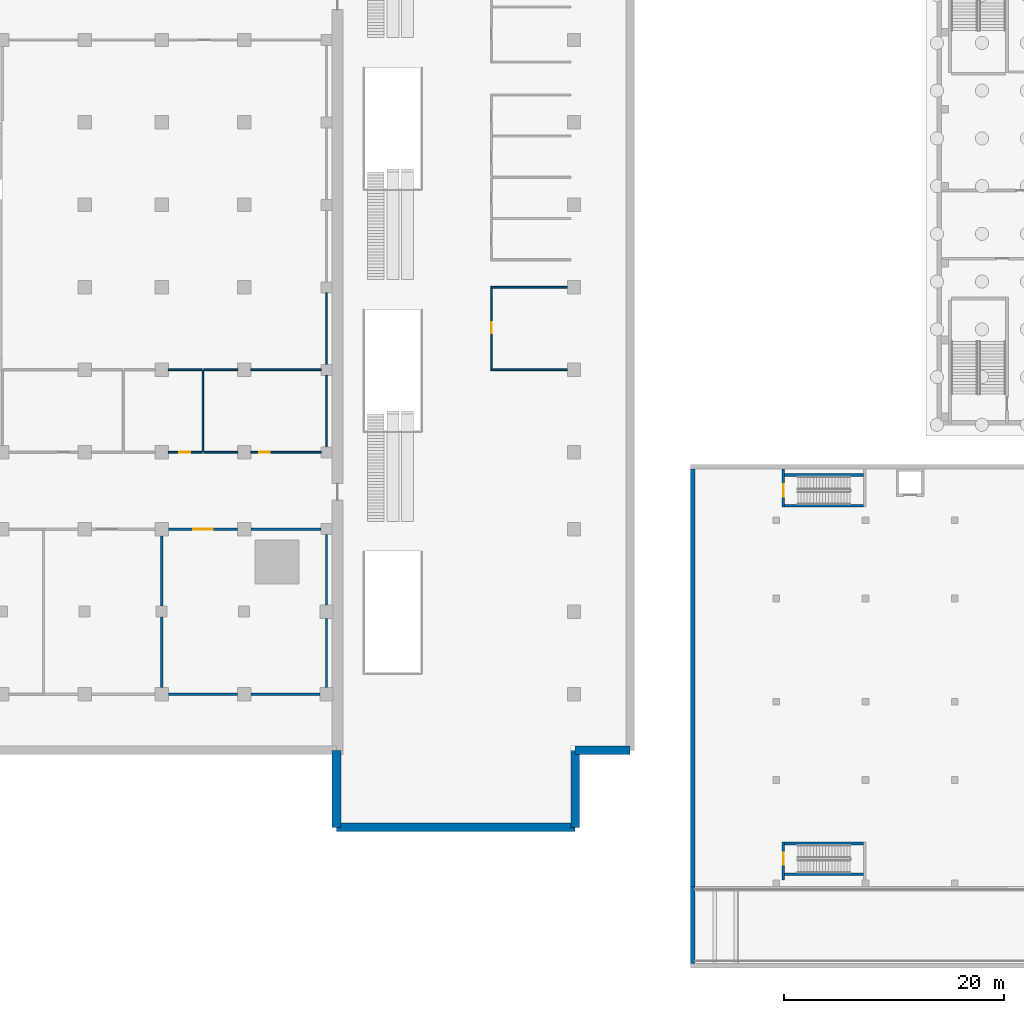
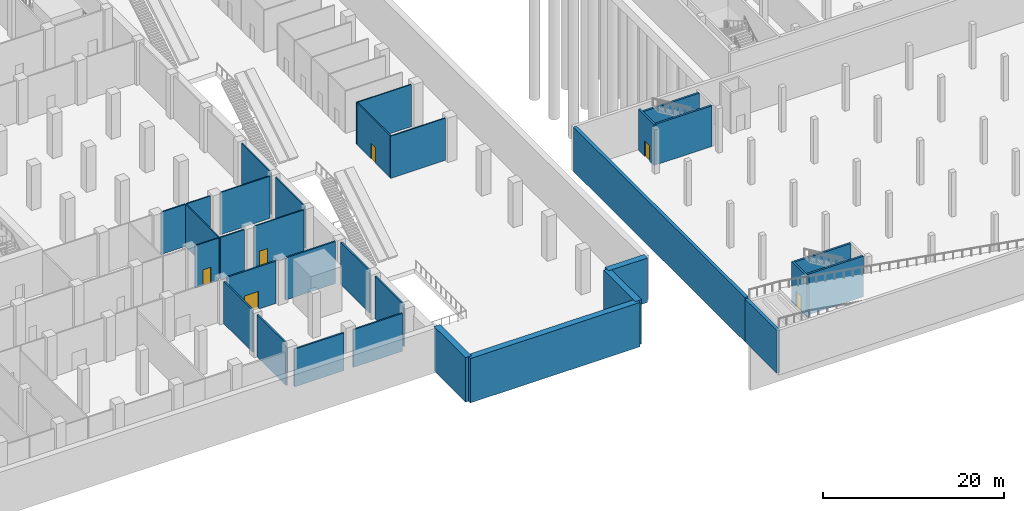
# One storey, part 7 of 45: 32 walls, 6 doors, 6 openings.
"""IFC4 building model written with IfcOpenShell, lengths in metres."""

from ifc_helpers import new_model, si_unit, direction, frame, frame_2d, origin, place, context, subcontext, project, spatial, rectangle, extrude, material, layer, layer_set, type_object, element, fill, save


model = new_model("IFC4")

# Units and contexts
model_context = context("Model", 3, precision=1e-05, world=origin(), true_north=direction((0.0, 1.0)))
body_context = subcontext(model_context, "Body", "Model", "MODEL_VIEW")
ifc_project = project(units=[si_unit("LENGTHUNIT", "METRE"), si_unit("AREAUNIT", "SQUARE_METRE"), si_unit("VOLUMEUNIT", "CUBIC_METRE"), si_unit("PLANEANGLEUNIT", "RADIAN"), si_unit("MASSUNIT", "GRAM", prefix="KILO")], contexts=[model_context])

# Site, building, storey
site_placement = place(None, origin())
site = spatial("IfcSite", under=ifc_project, at=site_placement, CompositionType="ELEMENT")
building_placement = place(site_placement, origin())
building = spatial("IfcBuilding", under=site, at=building_placement, Name="Tamorin Gate", CompositionType="ELEMENT")
storey_placement = place(building_placement, frame((0.0, 0.0, -6.0)))
storey = spatial("IfcBuildingStorey", under=building, at=storey_placement, Name="B1", CompositionType="ELEMENT", Elevation=-6.0)

# Walls
ifc_material_1 = material(Name="Concrete C40/50", Category="concrete")
ifc_layer_1 = layer(ifc_material_1, 0.39990234375)
ifc_layer_set_1 = layer_set([ifc_layer_1], Name="Car park retaining wall 400 C40/50")
wall_type_1 = type_object("IfcWallType", Name="Car park retaining wall 400 C40/50", PredefinedType="SHEAR", material=ifc_layer_set_1)
wall_1_placement = place(storey_placement, frame((122.800048828125, 13.0, 0.0), z_axis=(0.0, 0.0, 1.0), x_axis=(0.0, 1.0, 0.0)))
element("IfcWall", 1, at=wall_1_placement, inside=storey, type_object=wall_type_1, Name="Retaining wall B1", PredefinedType="SHEAR", context=body_context, shape_type="SweptSolid", body=[
    extrude(rectangle(XDim=38.0, YDim=0.39990234375, at=frame_2d((19.0, 0.0))), origin(), (0.0, 0.0, 1.0), 6.0),
])
wall_2_placement = place(storey_placement, frame((122.800048828125, 6.0, 0.0), z_axis=(0.0, 0.0, 1.0), x_axis=(0.0, 1.0, 0.0)))
element("IfcWall", 2, at=wall_2_placement, inside=storey, type_object=wall_type_1, Name="Retaining wall B1", PredefinedType="SHEAR", context=body_context, shape_type="SweptSolid", body=[
    extrude(rectangle(XDim=7.0, YDim=0.39990234375, at=frame_2d((3.5, 0.0))), origin(), (0.0, 0.0, 1.0), 5.800048828125),
])

# Wall, opening, door
ifc_material_2 = material(Name="Concrete masonry C20/25", Category="masonry")
ifc_layer_2 = layer(ifc_material_2, 0.14990234375)
ifc_layer_set_2 = layer_set([ifc_layer_2], Name="Partition 150")
wall_type_2 = type_object("IfcWallType", Name="Partition 150", PredefinedType="PARTITIONING", material=ifc_layer_set_2)
wall_3_placement = place(storey_placement, frame((78.175048828125, 52.5, 0.0), z_axis=(0.0, 0.0, 1.0), x_axis=(-1.0, 0.0, 0.0)))
wall_3 = element("IfcWall", 3, at=wall_3_placement, inside=storey, type_object=wall_type_2, Name="Partition 150 B1", PredefinedType="PARTITIONING", context=body_context, shape_type="SweptSolid", body=[
    extrude(rectangle(XDim=3.074951171875, YDim=0.14990234375, at=frame_2d((1.53759765625, 0.0))), origin(), (0.0, 0.0, 1.0), 5.699951171875),
])
opening_1_placement = place(wall_3_placement, frame((1.074951171875, 0.0, 0.0)))
opening_1 = element("IfcOpeningElement", 4, at=opening_1_placement, cuts=wall_3, Name="Opening DP2", PredefinedType="OPENING", context=body_context, shape_type="SweptSolid", body=[
    extrude(rectangle(XDim=1.0, YDim=2.10009765625, at=frame_2d((0.5, 1.050048828125))), frame((0.0, 0.0849609375, 0.0), z_axis=(0.0, -1.0, 0.0), x_axis=(1.0, 0.0, 0.0)), (0.0, 0.0, 1.0), 0.169921875),
])
ifc_material_3 = material(Name="Painted steel", Category="steel")
door_type_1 = type_object("IfcDoorType", Name="Door single 1000", OperationType="SINGLE_SWING_LEFT", PredefinedType="DOOR", material=ifc_material_3)
door_1_placement = place(opening_1_placement, origin())
door_1 = element("IfcDoor", 5, at=door_1_placement, inside=storey, type_object=door_type_1, Name="Door single 1000 B1", OperationType="SINGLE_SWING_LEFT", OverallHeight=2.10009765625, OverallWidth=1.0, PredefinedType="DOOR", context=body_context, shape_type="SweptSolid", body=[
    extrude(rectangle(XDim=1.0, YDim=2.10009765625, at=frame_2d((0.5, 1.050048828125))), frame((0.0, 0.02490234375, 0.0), z_axis=(0.0, -1.0, 0.0), x_axis=(1.0, 0.0, 0.0)), (0.0, 0.0, 1.0), 0.050048828125),
])
fill(opening_1, door_1)

# Wall
wall_4_placement = place(storey_placement, frame((78.324951171875, 52.5, 0.0), z_axis=(0.0, 0.0, 1.0), x_axis=(1.0, 0.0, 0.0)))
element("IfcWall", 6, at=wall_4_placement, inside=storey, type_object=wall_type_2, Name="Partition 150 B1", PredefinedType="PARTITIONING", context=body_context, shape_type="SweptSolid", body=[
    extrude(rectangle(XDim=3.074951171875, YDim=0.14990234375, at=frame_2d((1.53759765625, 0.0))), origin(), (0.0, 0.0, 1.0), 5.699951171875),
])

# Wall, opening, door
wall_5_placement = place(storey_placement, frame((89.0, 52.5, 0.0), z_axis=(0.0, 0.0, 1.0), x_axis=(-1.0, 0.0, 0.0)))
wall_5 = element("IfcWall", 7, at=wall_5_placement, inside=storey, type_object=wall_type_2, Name="Partition 150 B1", PredefinedType="PARTITIONING", context=body_context, shape_type="SweptSolid", body=[
    extrude(rectangle(XDim=6.39990234375, YDim=0.14990234375, at=frame_2d((3.199951171875, 0.0))), origin(), (0.0, 0.0, 1.0), 5.699951171875),
])
opening_2_placement = place(wall_5_placement, frame((4.64990234375, 0.0, 0.0)))
opening_2 = element("IfcOpeningElement", 8, at=opening_2_placement, cuts=wall_5, Name="Opening DP2", PredefinedType="OPENING", context=body_context, shape_type="SweptSolid", body=[
    extrude(rectangle(XDim=1.0, YDim=2.10009765625, at=frame_2d((0.5, 1.050048828125))), frame((0.0, 0.0849609375, 0.0), z_axis=(0.0, -1.0, 0.0), x_axis=(1.0, 0.0, 0.0)), (0.0, 0.0, 1.0), 0.169921875),
])
door_2_placement = place(opening_2_placement, origin())
door_2 = element("IfcDoor", 9, at=door_2_placement, inside=storey, type_object=door_type_1, Name="Door single 1000 B1", OperationType="SINGLE_SWING_LEFT", OverallHeight=2.10009765625, OverallWidth=1.0, PredefinedType="DOOR", context=body_context, shape_type="SweptSolid", body=[
    extrude(rectangle(XDim=1.0, YDim=2.10009765625, at=frame_2d((0.5, 1.050048828125))), frame((0.0, 0.02490234375, 0.0), z_axis=(0.0, -1.0, 0.0), x_axis=(1.0, 0.0, 0.0)), (0.0, 0.0, 1.0), 0.050048828125),
])
fill(opening_2, door_2)

# Walls
for number, where, z_axis, x_axis, name in (
    (10, (75.10009765625, 60.0, 0.0), (0.0, 0.0, 1.0), (1.0, 0.0, 0.0), "Partition 150 B1"),
    (11, (78.324951171875, 60.0, 0.0), (0.0, 0.0, 1.0), (1.0, 0.0, 0.0), "Partition 150 B1"),
):
    element("IfcWall", number, at=place(storey_placement, frame(where, z_axis=z_axis, x_axis=x_axis)), inside=storey, type_object=wall_type_2, Name=name, PredefinedType="PARTITIONING", context=body_context, shape_type="SweptSolid", body=[
        extrude(rectangle(XDim=3.074951171875, YDim=0.14990234375, at=frame_2d((1.53759765625, 0.0))), origin(), (0.0, 0.0, 1.0), 5.699951171875),
    ])
wall_6_placement = place(storey_placement, frame((82.60009765625, 60.0, 0.0), z_axis=(0.0, 0.0, 1.0), x_axis=(1.0, 0.0, 0.0)))
element("IfcWall", 12, at=wall_6_placement, inside=storey, type_object=wall_type_2, Name="Partition 150 B1", PredefinedType="PARTITIONING", context=body_context, shape_type="SweptSolid", body=[
    extrude(rectangle(XDim=6.39990234375, YDim=0.14990234375, at=frame_2d((3.199951171875, 0.0))), origin(), (0.0, 0.0, 1.0), 5.699951171875),
])
for number, where, z_axis, x_axis, name in (
    (13, (104.425048828125, 60.0, 0.0), (0.0, 0.0, 1.0), (1.0, 0.0, 0.0), "Partition 150 B1"),
    (14, (104.425048828125, 67.5, 0.0), (0.0, 0.0, 1.0), (1.0, 0.0, 0.0), "Partition 150 B1"),
):
    element("IfcWall", number, at=place(storey_placement, frame(where, z_axis=z_axis, x_axis=x_axis)), inside=storey, type_object=wall_type_2, Name=name, PredefinedType="PARTITIONING", context=body_context, shape_type="SweptSolid", body=[
        extrude(rectangle(XDim=6.974853515625, YDim=0.14990234375, at=frame_2d((3.4873046875, 0.0))), origin(), (0.0, 0.0, 1.0), 5.699951171875),
    ])
for number, where, z_axis, x_axis, name in (
    (15, (89.5, 53.0, 0.0), (0.0, 0.0, 1.0), (0.0, 1.0, 0.0), "Partition 150 B1"),
    (16, (89.5, 60.5, 0.0), (0.0, 0.0, 1.0), (0.0, 1.0, 0.0), "Partition 150 B1"),
):
    element("IfcWall", number, at=place(storey_placement, frame(where, z_axis=z_axis, x_axis=x_axis)), inside=storey, type_object=wall_type_2, Name=name, PredefinedType="PARTITIONING", context=body_context, shape_type="SweptSolid", body=[
        extrude(rectangle(XDim=6.5, YDim=0.14990234375, at=frame_2d((3.25, 0.0))), origin(), (0.0, 0.0, 1.0), 5.699951171875),
    ])
wall_7_placement = place(storey_placement, frame((78.25, 52.574951171875, 0.0), z_axis=(0.0, 0.0, 1.0), x_axis=(0.0, 1.0, 0.0)))
element("IfcWall", 17, at=wall_7_placement, inside=storey, type_object=wall_type_2, Name="Partition 150 B1", PredefinedType="PARTITIONING", context=body_context, shape_type="SweptSolid", body=[
    extrude(rectangle(XDim=7.35009765625, YDim=0.14990234375, at=frame_2d((3.675048828125, 0.0))), origin(), (0.0, 0.0, 1.0), 5.699951171875),
])

# Wall, opening, door
wall_8_placement = place(storey_placement, frame((104.5, 60.074951171875, 0.0), z_axis=(0.0, 0.0, 1.0), x_axis=(0.0, 1.0, 0.0)))
wall_8 = element("IfcWall", 18, at=wall_8_placement, inside=storey, type_object=wall_type_2, Name="Partition 150 B1", PredefinedType="PARTITIONING", context=body_context, shape_type="SweptSolid", body=[
    extrude(rectangle(XDim=7.35009765625, YDim=0.14990234375, at=frame_2d((3.675048828125, 0.0))), origin(), (0.0, 0.0, 1.0), 5.699951171875),
])
opening_3_placement = place(wall_8_placement, frame((3.25, 0.0, 0.0)))
opening_3 = element("IfcOpeningElement", 19, at=opening_3_placement, cuts=wall_8, Name="Opening DP2", PredefinedType="OPENING", context=body_context, shape_type="SweptSolid", body=[
    extrude(rectangle(XDim=1.0, YDim=2.10009765625, at=frame_2d((0.5, 1.050048828125))), frame((0.0, 0.0849609375, 0.0), z_axis=(0.0, -1.0, 0.0), x_axis=(1.0, 0.0, 0.0)), (0.0, 0.0, 1.0), 0.169921875),
])
door_3_placement = place(opening_3_placement, origin())
door_3 = element("IfcDoor", 20, at=door_3_placement, inside=storey, type_object=door_type_1, Name="Door single 1000 B1", OperationType="SINGLE_SWING_LEFT", OverallHeight=2.10009765625, OverallWidth=1.0, PredefinedType="DOOR", context=body_context, shape_type="SweptSolid", body=[
    extrude(rectangle(XDim=1.0, YDim=2.10009765625, at=frame_2d((0.5, 1.050048828125))), frame((0.0, 0.02490234375, 0.0), z_axis=(0.0, -1.0, 0.0), x_axis=(1.0, 0.0, 0.0)), (0.0, 0.0, 1.0), 0.050048828125),
])
fill(opening_3, door_3)

ifc_layer_3 = layer(ifc_material_2, 0.199951171875)
ifc_layer_set_3 = layer_set([ifc_layer_3], Name="Plant room wall 200")
wall_type_3 = type_object("IfcWallType", Name="Plant room wall 200", PredefinedType="PARTITIONING", material=ifc_layer_set_3)
wall_9_placement = place(storey_placement, frame((75.10009765625, 45.5, 0.0), z_axis=(0.0, 0.0, 1.0), x_axis=(1.0, 0.0, 0.0)))
wall_9 = element("IfcWall", 21, at=wall_9_placement, inside=storey, type_object=wall_type_3, Name="Plant room wall 200 B1", PredefinedType="PARTITIONING", context=body_context, shape_type="SweptSolid", body=[
    extrude(rectangle(XDim=6.2998046875, YDim=0.199951171875, at=frame_2d((3.14990234375, 0.0))), origin(), (0.0, 0.0, 1.0), 5.699951171875),
])
opening_4_placement = place(wall_9_placement, frame((2.25, 0.0, 0.0)))
opening_4 = element("IfcOpeningElement", 22, at=opening_4_placement, cuts=wall_9, Name="Opening DP3", PredefinedType="OPENING", context=body_context, shape_type="SweptSolid", body=[
    extrude(rectangle(XDim=1.800048828125, YDim=2.39990234375, at=frame_2d((0.89990234375, 1.199951171875))), frame((0.0, 0.10986328125, 0.0), z_axis=(0.0, -1.0, 0.0), x_axis=(1.0, 0.0, 0.0)), (0.0, 0.0, 1.0), 0.219970703125),
])
ifc_material_4 = material(Name="Steel and glass", Category="steel")
door_type_2 = type_object("IfcDoorType", Name="Door pair 1800", OperationType="DOUBLE_DOOR_SINGLE_SWING", PredefinedType="DOOR", material=ifc_material_4)
door_4_placement = place(opening_4_placement, origin())
door_4 = element("IfcDoor", 23, at=door_4_placement, inside=storey, type_object=door_type_2, Name="Door pair 1800 B1", OperationType="SINGLE_SWING_LEFT", OverallHeight=2.39990234375, OverallWidth=1.800048828125, PredefinedType="DOOR", context=body_context, shape_type="SweptSolid", body=[
    extrude(rectangle(XDim=1.800048828125, YDim=2.39990234375, at=frame_2d((0.89990234375, 1.199951171875))), frame((0.0, 0.02490234375, 0.0), z_axis=(0.0, -1.0, 0.0), x_axis=(1.0, 0.0, 0.0)), (0.0, 0.0, 1.0), 0.050048828125),
])
fill(opening_4, door_4)

# Walls
wall_10_placement = place(storey_placement, frame((82.60009765625, 45.5, 0.0), z_axis=(0.0, 0.0, 1.0), x_axis=(1.0, 0.0, 0.0)))
element("IfcWall", 24, at=wall_10_placement, inside=storey, type_object=wall_type_3, Name="Plant room wall 200 B1", PredefinedType="PARTITIONING", context=body_context, shape_type="SweptSolid", body=[
    extrude(rectangle(XDim=6.39990234375, YDim=0.199951171875, at=frame_2d((3.199951171875, 0.0))), origin(), (0.0, 0.0, 1.0), 5.699951171875),
])
for number, where, z_axis, x_axis, name in (
    (25, (75.10009765625, 30.5, 0.0), (0.0, 0.0, 1.0), (1.0, 0.0, 0.0), "Plant room wall 200 B1"),
    (26, (82.60009765625, 30.5, 0.0), (0.0, 0.0, 1.0), (1.0, 0.0, 0.0), "Plant room wall 200 B1"),
):
    element("IfcWall", number, at=place(storey_placement, frame(where, z_axis=z_axis, x_axis=x_axis)), inside=storey, type_object=wall_type_3, Name=name, PredefinedType="PARTITIONING", context=body_context, shape_type="SweptSolid", body=[
        extrude(rectangle(XDim=6.2998046875, YDim=0.199951171875, at=frame_2d((3.14990234375, 0.0))), origin(), (0.0, 0.0, 1.0), 5.10009765625),
    ])
for number, where, z_axis, x_axis, name in (
    (27, (74.5, 31.10009765625, 0.0), (0.0, 0.0, 1.0), (0.0, 1.0, 0.0), "Plant room wall 200 B1"),
    (28, (74.5, 38.5, 0.0), (0.0, 0.0, 1.0), (0.0, 1.0, 0.0), "Plant room wall 200 B1"),
):
    element("IfcWall", number, at=place(storey_placement, frame(where, z_axis=z_axis, x_axis=x_axis)), inside=storey, type_object=wall_type_3, Name=name, PredefinedType="PARTITIONING", context=body_context, shape_type="SweptSolid", body=[
        extrude(rectangle(XDim=6.39990234375, YDim=0.199951171875, at=frame_2d((3.199951171875, 0.0))), origin(), (0.0, 0.0, 1.0), 5.699951171875),
    ])
wall_11_placement = place(storey_placement, frame((89.5, 31.10009765625, 0.0), z_axis=(0.0, 0.0, 1.0), x_axis=(0.0, 1.0, 0.0)))
element("IfcWall", 29, at=wall_11_placement, inside=storey, type_object=wall_type_3, Name="Plant room wall 200 B1", PredefinedType="PARTITIONING", context=body_context, shape_type="SweptSolid", body=[
    extrude(rectangle(XDim=6.2998046875, YDim=0.199951171875, at=frame_2d((3.14990234375, 0.0))), origin(), (0.0, 0.0, 1.0), 5.699951171875),
])
wall_12_placement = place(storey_placement, frame((89.5, 38.60009765625, 0.0), z_axis=(0.0, 0.0, 1.0), x_axis=(0.0, 1.0, 0.0)))
element("IfcWall", 30, at=wall_12_placement, inside=storey, type_object=wall_type_3, Name="Plant room wall 200 B1", PredefinedType="PARTITIONING", context=body_context, shape_type="SweptSolid", body=[
    extrude(rectangle(XDim=6.39990234375, YDim=0.199951171875, at=frame_2d((3.199951171875, 0.0))), origin(), (0.0, 0.0, 1.0), 5.699951171875),
])
ifc_layer_4 = layer(ifc_material_1, 0.800048828125)
ifc_layer_set_4 = layer_set([ifc_layer_4], Name="RC basement wall 800 C40/50")
wall_type_4 = type_object("IfcWallType", Name="RC basement wall 800 C40/50", PredefinedType="SHEAR", material=ifc_layer_set_4)
wall_13_placement = place(storey_placement, frame((117.10009765625, 25.39990234375, 0.0), z_axis=(0.0, 0.0, 1.0), x_axis=(-1.0, 0.0, 0.0)))
element("IfcWall", 31, at=wall_13_placement, inside=storey, type_object=wall_type_4, Name="Basement wall B1", PredefinedType="SHEAR", context=body_context, shape_type="SweptSolid", body=[
    extrude(rectangle(XDim=5.0, YDim=0.800048828125, at=frame_2d((2.5, 0.0))), origin(), (0.0, 0.0, 1.0), 6.0),
])
wall_14_placement = place(storey_placement, frame((112.10009765625, 25.39990234375, 0.0), z_axis=(0.0, 0.0, 1.0), x_axis=(0.0, -1.0, 0.0)))
element("IfcWall", 32, at=wall_14_placement, inside=storey, type_object=wall_type_4, Name="Basement wall B1", PredefinedType="SHEAR", context=body_context, shape_type="SweptSolid", body=[
    extrude(rectangle(XDim=7.0, YDim=0.800048828125, at=frame_2d((3.5, 0.0))), origin(), (0.0, 0.0, 1.0), 6.0),
])
wall_15_placement = place(storey_placement, frame((112.10009765625, 18.39990234375, 0.0), z_axis=(0.0, 0.0, 1.0), x_axis=(-1.0, 0.0, 0.0)))
element("IfcWall", 33, at=wall_15_placement, inside=storey, type_object=wall_type_4, Name="Basement wall B1", PredefinedType="SHEAR", context=body_context, shape_type="SweptSolid", body=[
    extrude(rectangle(XDim=21.7001953125, YDim=0.800048828125, at=frame_2d((10.85009765625, 0.0))), origin(), (0.0, 0.0, 1.0), 6.0),
])
wall_16_placement = place(storey_placement, frame((90.39990234375, 18.39990234375, 0.0), z_axis=(0.0, 0.0, 1.0), x_axis=(0.0, 1.0, 0.0)))
element("IfcWall", 34, at=wall_16_placement, inside=storey, type_object=wall_type_4, Name="Basement wall B1", PredefinedType="SHEAR", context=body_context, shape_type="SweptSolid", body=[
    extrude(rectangle(XDim=7.0, YDim=0.800048828125, at=frame_2d((3.5, 0.0))), origin(), (0.0, 0.0, 1.0), 6.0),
])
ifc_layer_5 = layer(ifc_material_1, 0.25)
ifc_layer_set_5 = layer_set([ifc_layer_5], Name="Stair and lift enclosure wall 250 C40/50")
wall_type_5 = type_object("IfcWallType", Name="Stair and lift enclosure wall 250 C40/50", PredefinedType="SHEAR", material=ifc_layer_set_5)
for number, where, z_axis, x_axis, name in (
    (35, (131.14990234375, 14.125, 0.0), (0.0, 0.0, 1.0), (1.0, 0.0, 0.0), "Stair SB6 wall"),
    (36, (131.14990234375, 16.925048828125, 0.0), (0.0, 0.0, 1.0), (1.0, 0.0, 0.0), "Stair SB6 wall"),
):
    element("IfcWall", number, at=place(storey_placement, frame(where, z_axis=z_axis, x_axis=x_axis)), inside=storey, type_object=wall_type_5, Name=name, PredefinedType="SHEAR", context=body_context, shape_type="SweptSolid", body=[
        extrude(rectangle(XDim=7.16015625, YDim=0.25, at=frame_2d((3.580078125, 0.0))), origin(), (0.0, 0.0, 1.0), 5.5),
    ])

# Wall, opening, door
wall_17_placement = place(storey_placement, frame((131.02490234375, 13.60009765625, 0.0), z_axis=(0.0, 0.0, 1.0), x_axis=(0.0, 1.0, 0.0)))
wall_17 = element("IfcWall", 37, at=wall_17_placement, inside=storey, type_object=wall_type_5, Name="Stair SB6 wall", PredefinedType="SHEAR", context=body_context, shape_type="SweptSolid", body=[
    extrude(rectangle(XDim=3.449951171875, YDim=0.25, at=frame_2d((1.72509765625, 0.0))), origin(), (0.0, 0.0, 1.0), 5.5),
])
opening_5_placement = place(wall_17_placement, frame((1.375, 0.0, 0.0)))
opening_5 = element("IfcOpeningElement", 38, at=opening_5_placement, cuts=wall_17, Name="Opening DP8", PredefinedType="OPENING", context=body_context, shape_type="SweptSolid", body=[
    extrude(rectangle(XDim=1.10009765625, YDim=2.10009765625, at=frame_2d((0.550048828125, 1.050048828125))), frame((0.0, 0.135009765625, 0.0), z_axis=(0.0, -1.0, 0.0), x_axis=(1.0, 0.0, 0.0)), (0.0, 0.0, 1.0), 0.27001953125),
])
ifc_material_5 = material(Name="Steel, painted", Category="steel")
door_type_3 = type_object("IfcDoorType", Name="Stair door 1100x2100 FD90", OperationType="SINGLE_SWING_LEFT", PredefinedType="DOOR", material=ifc_material_5)
door_5_placement = place(opening_5_placement, origin())
door_5 = element("IfcDoor", 39, at=door_5_placement, inside=storey, type_object=door_type_3, Name="Stair door", OperationType="SINGLE_SWING_RIGHT", OverallHeight=2.10009765625, OverallWidth=1.10009765625, PredefinedType="DOOR", context=body_context, shape_type="SweptSolid", body=[
    extrude(rectangle(XDim=1.10009765625, YDim=2.10009765625, at=frame_2d((0.550048828125, 1.050048828125))), frame((0.0, 0.02490234375, 0.0), z_axis=(0.0, -1.0, 0.0), x_axis=(1.0, 0.0, 0.0)), (0.0, 0.0, 1.0), 0.050048828125),
])
fill(opening_5, door_5)

# Walls
for number, where, z_axis, x_axis, name in (
    (40, (131.14990234375, 47.625, 0.0), (0.0, 0.0, 1.0), (1.0, 0.0, 0.0), "Stair SB7 wall"),
    (41, (131.14990234375, 50.425048828125, 0.0), (0.0, 0.0, 1.0), (1.0, 0.0, 0.0), "Stair SB7 wall"),
):
    element("IfcWall", number, at=place(storey_placement, frame(where, z_axis=z_axis, x_axis=x_axis)), inside=storey, type_object=wall_type_5, Name=name, PredefinedType="SHEAR", context=body_context, shape_type="SweptSolid", body=[
        extrude(rectangle(XDim=7.16015625, YDim=0.25, at=frame_2d((3.580078125, 0.0))), origin(), (0.0, 0.0, 1.0), 5.5),
    ])

# Wall, opening, door
wall_18_placement = place(storey_placement, frame((131.02490234375, 47.5, 0.0), z_axis=(0.0, 0.0, 1.0), x_axis=(0.0, 1.0, 0.0)))
wall_18 = element("IfcWall", 42, at=wall_18_placement, inside=storey, type_object=wall_type_5, Name="Stair SB7 wall", PredefinedType="SHEAR", context=body_context, shape_type="SweptSolid", body=[
    extrude(rectangle(XDim=3.5, YDim=0.25, at=frame_2d((1.75, 0.0))), origin(), (0.0, 0.0, 1.0), 5.5),
])
opening_6_placement = place(wall_18_placement, frame((0.97509765625, 0.0, 0.0)))
opening_6 = element("IfcOpeningElement", 43, at=opening_6_placement, cuts=wall_18, Name="Opening DP8", PredefinedType="OPENING", context=body_context, shape_type="SweptSolid", body=[
    extrude(rectangle(XDim=1.10009765625, YDim=2.10009765625, at=frame_2d((0.550048828125, 1.050048828125))), frame((0.0, 0.135009765625, 0.0), z_axis=(0.0, -1.0, 0.0), x_axis=(1.0, 0.0, 0.0)), (0.0, 0.0, 1.0), 0.27001953125),
])
door_6_placement = place(opening_6_placement, origin())
door_6 = element("IfcDoor", 44, at=door_6_placement, inside=storey, type_object=door_type_3, Name="Stair door", OperationType="SINGLE_SWING_LEFT", OverallHeight=2.10009765625, OverallWidth=1.10009765625, PredefinedType="DOOR", context=body_context, shape_type="SweptSolid", body=[
    extrude(rectangle(XDim=1.10009765625, YDim=2.10009765625, at=frame_2d((0.550048828125, 1.050048828125))), frame((0.0, 0.02490234375, 0.0), z_axis=(0.0, -1.0, 0.0), x_axis=(1.0, 0.0, 0.0)), (0.0, 0.0, 1.0), 0.050048828125),
])
fill(opening_6, door_6)

save(model, "model.ifc")
